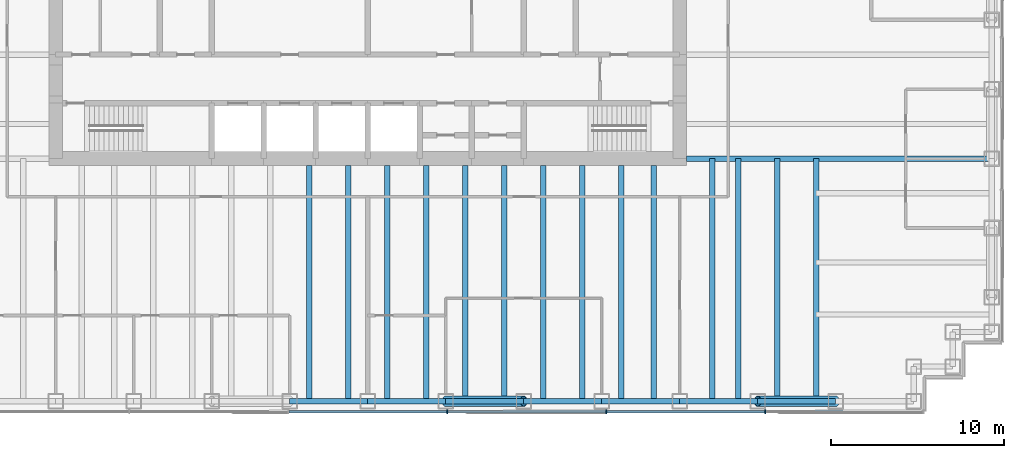
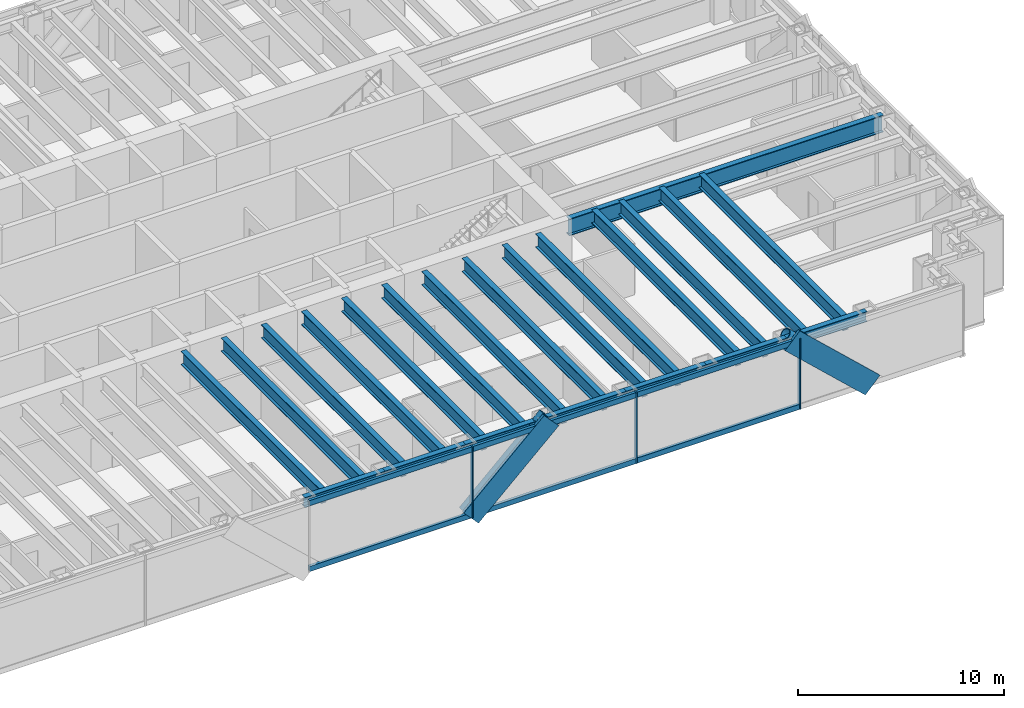
# One storey, part 4 of 15: 22 beams, 13 members, 1 element without a shape of its own.
"""IFC4 building model written with IfcOpenShell, lengths in metres."""

from ifc_helpers import new_model, si_unit, direction, frame, origin, origin_2d, place, context, subcontext, project, spatial, rectangle, hollow_circle, i_section, extrude, material, material_profile, profile_set, type_object, element, aggregate, save


model = new_model("IFC4")

# Units and contexts
model_context = context("Model", 3, precision=1e-05, world=origin(), true_north=direction((0.0, 1.0)))
body_context = subcontext(model_context, "Body", "Model", "MODEL_VIEW")
ifc_project = project(units=[si_unit("LENGTHUNIT", "METRE"), si_unit("AREAUNIT", "SQUARE_METRE"), si_unit("VOLUMEUNIT", "CUBIC_METRE"), si_unit("PLANEANGLEUNIT", "RADIAN"), si_unit("MASSUNIT", "GRAM", prefix="KILO")], contexts=[model_context])

# Site, building, storey
site_placement = place(None, origin())
site = spatial("IfcSite", under=ifc_project, at=site_placement, CompositionType="ELEMENT")
building_placement = place(site_placement, origin())
building = spatial("IfcBuilding", under=site, at=building_placement, Name="Rheinbord Bourse Tower", CompositionType="ELEMENT")
storey_placement = place(building_placement, frame((0.0, 0.0, 248.800048828125)))
storey = spatial("IfcBuildingStorey", under=building, at=storey_placement, Name="L56", CompositionType="ELEMENT", Elevation=248.800048828125)

# Curtain wall, members
ifc_material_1 = material(Name="Dark glass and black aluminium", Category="aluminium")
curtain_wall_type = type_object("IfcCurtainWallType", Name="CW2 DARK GLASS CURTAIN WALL", PredefinedType="USERDEFINED", material=ifc_material_1)
curtain_wall_placement = place(storey_placement, origin())
curtain_wall = element("IfcCurtainWall", 1, at=curtain_wall_placement, inside=storey, type_object=curtain_wall_type, Name="Curtain wall CW2 S L56", ObjectType="UNITISED CURTAIN WALL", PredefinedType="USERDEFINED")
ifc_material_2 = material(Name="Black anodised aluminium", Category="aluminium")
ifc_material_profile_1 = material_profile(ifc_material_2, rectangle(XDim=0.159912109375, YDim=1.2099609375, at=origin_2d()), Name="CW2 DIAGONAL MULLION 1210x160")
ifc_profile_set_1 = profile_set([ifc_material_profile_1], Name="Black anodised aluminium")
member_type_1 = type_object("IfcMemberType", Name="CW2 BLACK DIAGONAL MULLION", PredefinedType="USERDEFINED", material=ifc_profile_set_1)
member_1_placement = place(storey_placement, frame((63.0, 1.39990234375, 0.0), z_axis=(-0.73105922506, 0.0, 0.682314010889), x_axis=(0.0, -1.0, 0.0)))
member_1 = element("IfcMember", 2, at=member_1_placement, type_object=member_type_1, Name="CW2 diagonal mullion b", ObjectType="DIAGONAL MULLION", PredefinedType="USERDEFINED", context=body_context, shape_type="SweptSolid", body=[
    extrude(rectangle(XDim=0.159912109375, YDim=1.2099609375, at=origin_2d()), origin(), (0.0, 0.0, 1.0), 6.155517578125),
])
member_2_placement = place(storey_placement, frame((40.5, 1.39990234375, 0.0), z_axis=(0.73105922506, 0.0, 0.682314010889), x_axis=(0.0, 1.0, 0.0)))
member_2 = element("IfcMember", 3, at=member_2_placement, type_object=member_type_1, Name="CW2 diagonal mullion c", ObjectType="DIAGONAL MULLION", PredefinedType="USERDEFINED", context=body_context, shape_type="SweptSolid", body=[
    extrude(rectangle(XDim=0.159912109375, YDim=1.2099609375, at=origin_2d()), origin(), (0.0, 0.0, 1.0), 6.155517578125),
])
ifc_material_3 = material(Name="Black anodised aluminium", Category="aluminium")
ifc_material_profile_2 = material_profile(ifc_material_3, rectangle(XDim=0.219970703125, YDim=0.070068359375, at=origin_2d()), Name="CW2 MULLION 70x220")
ifc_profile_set_2 = profile_set([ifc_material_profile_2], Name="Black anodised aluminium")
member_type_2 = type_object("IfcMemberType", Name="CW2 BLACK MULLION", PredefinedType="MULLION", material=ifc_profile_set_2)
member_3_placement = place(storey_placement, frame((40.585693359375, 1.39990234375, 0.0), z_axis=(0.0, 0.0, 1.0), x_axis=(0.0, 1.0, 0.0)))
member_3 = element("IfcMember", 4, at=member_3_placement, type_object=member_type_2, Name="CW2 mullion 5", PredefinedType="MULLION", context=body_context, shape_type="SweptSolid", body=[
    extrude(rectangle(XDim=0.219970703125, YDim=0.070068359375, at=origin_2d()), origin(), (0.0, 0.0, 1.0), 4.199951171875),
])
member_4_placement = place(storey_placement, frame((49.757080078125, 1.39990234375, 0.0), z_axis=(0.0, 0.0, 1.0), x_axis=(0.0, 1.0, 0.0)))
member_4 = element("IfcMember", 5, at=member_4_placement, type_object=member_type_2, Name="CW2 mullion 6", PredefinedType="MULLION", context=body_context, shape_type="SweptSolid", body=[
    extrude(rectangle(XDim=0.219970703125, YDim=0.070068359375, at=origin_2d()), origin(), (0.0, 0.0, 1.0), 4.199951171875),
])
member_5_placement = place(storey_placement, frame((58.928466796875, 1.39990234375, 0.0), z_axis=(0.0, 0.0, 1.0), x_axis=(0.0, 1.0, 0.0)))
member_5 = element("IfcMember", 6, at=member_5_placement, type_object=member_type_2, Name="CW2 mullion 7", PredefinedType="MULLION", context=body_context, shape_type="SweptSolid", body=[
    extrude(rectangle(XDim=0.219970703125, YDim=0.070068359375, at=origin_2d()), origin(), (0.0, 0.0, 1.0), 4.199951171875),
])
ifc_material_4 = material(Name="Black anodised aluminium", Category="aluminium")
ifc_material_profile_3 = material_profile(ifc_material_4, rectangle(XDim=0.159912109375, YDim=0.300048828125, at=origin_2d()), Name="CW2 TRANSOM 300x160")
ifc_profile_set_3 = profile_set([ifc_material_profile_3], Name="Black anodised aluminium")
member_type_3 = type_object("IfcMemberType", Name="CW2 BLACK TRANSOM", PredefinedType="USERDEFINED", material=ifc_profile_set_3)
member_6_placement = place(storey_placement, frame((31.44921875, 1.39990234375, 0.14990234375), z_axis=(1.0, 0.0, 0.0), x_axis=(0.0, 1.0, 0.0)))
member_6 = element("IfcMember", 7, at=member_6_placement, type_object=member_type_3, Name="CW2 transom 4.1", ObjectType="TRANSOM", PredefinedType="USERDEFINED", context=body_context, shape_type="SweptSolid", body=[
    extrude(rectangle(XDim=0.159912109375, YDim=0.300048828125, at=origin_2d()), origin(), (0.0, 0.0, 1.0), 9.1015625),
])
member_7_placement = place(storey_placement, frame((31.44921875, 1.39990234375, 4.050048828125), z_axis=(1.0, 0.0, 0.0), x_axis=(0.0, 1.0, 0.0)))
member_7 = element("IfcMember", 8, at=member_7_placement, type_object=member_type_3, Name="CW2 transom 4.2", ObjectType="TRANSOM", PredefinedType="USERDEFINED", context=body_context, shape_type="SweptSolid", body=[
    extrude(rectangle(XDim=0.159912109375, YDim=0.300048828125, at=origin_2d()), origin(), (0.0, 0.0, 1.0), 9.1015625),
])
member_8_placement = place(storey_placement, frame((40.62060546875, 1.39990234375, 0.14990234375), z_axis=(1.0, 0.0, 0.0), x_axis=(0.0, 1.0, 0.0)))
member_8 = element("IfcMember", 9, at=member_8_placement, type_object=member_type_3, Name="CW2 transom 5.1", ObjectType="TRANSOM", PredefinedType="USERDEFINED", context=body_context, shape_type="SweptSolid", body=[
    extrude(rectangle(XDim=0.159912109375, YDim=0.300048828125, at=origin_2d()), origin(), (0.0, 0.0, 1.0), 9.1015625),
])
member_9_placement = place(storey_placement, frame((40.62060546875, 1.39990234375, 4.050048828125), z_axis=(1.0, 0.0, 0.0), x_axis=(0.0, 1.0, 0.0)))
member_9 = element("IfcMember", 10, at=member_9_placement, type_object=member_type_3, Name="CW2 transom 5.2", ObjectType="TRANSOM", PredefinedType="USERDEFINED", context=body_context, shape_type="SweptSolid", body=[
    extrude(rectangle(XDim=0.159912109375, YDim=0.300048828125, at=origin_2d()), origin(), (0.0, 0.0, 1.0), 9.1015625),
])
member_10_placement = place(storey_placement, frame((49.792236328125, 1.39990234375, 0.14990234375), z_axis=(1.0, 0.0, 0.0), x_axis=(0.0, 1.0, 0.0)))
member_10 = element("IfcMember", 11, at=member_10_placement, type_object=member_type_3, Name="CW2 transom 6.1", ObjectType="TRANSOM", PredefinedType="USERDEFINED", context=body_context, shape_type="SweptSolid", body=[
    extrude(rectangle(XDim=0.159912109375, YDim=0.300048828125, at=origin_2d()), origin(), (0.0, 0.0, 1.0), 9.101318359375),
])
member_11_placement = place(storey_placement, frame((49.792236328125, 1.39990234375, 4.050048828125), z_axis=(1.0, 0.0, 0.0), x_axis=(0.0, 1.0, 0.0)))
member_11 = element("IfcMember", 12, at=member_11_placement, type_object=member_type_3, Name="CW2 transom 6.2", ObjectType="TRANSOM", PredefinedType="USERDEFINED", context=body_context, shape_type="SweptSolid", body=[
    extrude(rectangle(XDim=0.159912109375, YDim=0.300048828125, at=origin_2d()), origin(), (0.0, 0.0, 1.0), 9.101318359375),
])
aggregate(curtain_wall, [member_3, member_4, member_5, member_6, member_7, member_8, member_9, member_10, member_11, member_1, member_2])

# Beams
ifc_material_5 = material(Name="Steel S460", Category="steel")
ifc_material_profile_4 = material_profile(ifc_material_5, i_section(OverallWidth=0.300048828125, OverallDepth=0.800048828125, WebThickness=0.017578125, FlangeThickness=0.032958984375, at=origin_2d()), Name="HEB 800")
ifc_profile_set_4 = profile_set([ifc_material_profile_4], Name="Steel S460")
beam_type_1 = type_object("IfcBeamType", Name="FLOOR BEAM HEB 800", PredefinedType="BEAM", material=ifc_profile_set_4)
for number, where, z_axis, x_axis, name in (
    (13, (32.625, 2.0, 3.639892578125), (0.0, 1.0, 0.0), (-1.0, 0.0, 0.0), "Floor beam S-31.5a L57"),
    (14, (34.875, 2.0, 3.639892578125), (0.0, 1.0, 0.0), (-1.0, 0.0, 0.0), "Floor beam S-31.5b L57"),
    (15, (37.125, 2.0, 3.639892578125), (0.0, 1.0, 0.0), (-1.0, 0.0, 0.0), "Floor beam S-36a L57"),
    (16, (39.375, 2.0, 3.639892578125), (0.0, 1.0, 0.0), (-1.0, 0.0, 0.0), "Floor beam S-36b L57"),
    (17, (41.625, 2.0, 3.639892578125), (0.0, 1.0, 0.0), (-1.0, 0.0, 0.0), "Floor beam S-40.5a L57"),
    (18, (43.875, 2.0, 3.639892578125), (0.0, 1.0, 0.0), (-1.0, 0.0, 0.0), "Floor beam S-40.5b L57"),
    (19, (46.125, 2.0, 3.639892578125), (0.0, 1.0, 0.0), (-1.0, 0.0, 0.0), "Floor beam S-45a L57"),
    (20, (48.375, 2.0, 3.639892578125), (0.0, 1.0, 0.0), (-1.0, 0.0, 0.0), "Floor beam S-45b L57"),
    (21, (50.625, 2.0, 3.639892578125), (0.0, 1.0, 0.0), (-1.0, 0.0, 0.0), "Floor beam S-49.5a L57"),
    (22, (52.5, 2.0, 3.639892578125), (0.0, 1.0, 0.0), (-1.0, 0.0, 0.0), "Floor beam S-49.5b L57"),
):
    element("IfcBeam", number, at=place(storey_placement, frame(where, z_axis=z_axis, x_axis=x_axis)), inside=storey, type_object=beam_type_1, Name=name, PredefinedType="BEAM", context=body_context, shape_type="SweptSolid", body=[
        extrude(i_section(OverallWidth=0.300048828125, OverallDepth=0.800048828125, WebThickness=0.017578125, FlangeThickness=0.032958984375, at=origin_2d()), origin(), (0.0, 0.0, 1.0), 13.60009765625),
    ])
for number, where, z_axis, x_axis, name in (
    (23, (55.875, 2.0, 3.639892578125), (0.0, 1.0, 0.0), (-1.0, 0.0, 0.0), "Floor beam S-54a L57"),
    (24, (57.375, 2.0, 3.639892578125), (0.0, 1.0, 0.0), (-1.0, 0.0, 0.0), "Floor beam S-54b L57"),
    (25, (59.625, 2.0, 3.639892578125), (0.0, 1.0, 0.0), (-1.0, 0.0, 0.0), "Floor beam S-58.5a L57"),
    (26, (61.875, 2.0, 3.639892578125), (0.0, 1.0, 0.0), (-1.0, 0.0, 0.0), "Floor beam S-58.5b L57"),
):
    element("IfcBeam", number, at=place(storey_placement, frame(where, z_axis=z_axis, x_axis=x_axis)), inside=storey, type_object=beam_type_1, Name=name, PredefinedType="BEAM", context=body_context, shape_type="SweptSolid", body=[
        extrude(i_section(OverallWidth=0.300048828125, OverallDepth=0.800048828125, WebThickness=0.017578125, FlangeThickness=0.032958984375, at=origin_2d()), origin(), (0.0, 0.0, 1.0), 14.0),
    ])
ifc_material_6 = material(Name="Steel S460", Category="steel")
ifc_material_profile_5 = material_profile(ifc_material_6, i_section(OverallWidth=0.302001953125, OverallDepth=1.008056640625, WebThickness=0.02099609375, FlangeThickness=0.0400390625, at=origin_2d()), Name="HEM 1000")
ifc_profile_set_5 = profile_set([ifc_material_profile_5], Name="Steel S460")
beam_type_2 = type_object("IfcBeamType", Name="GIRDER HEM 1000", PredefinedType="BEAM", material=ifc_profile_set_5)
beam_placement = place(storey_placement, frame((54.39990234375, 16.0, 3.535888671875), z_axis=(1.0, 0.0, 0.0), x_axis=(0.0, 1.0, 0.0)))
element("IfcBeam", 27, at=beam_placement, inside=storey, type_object=beam_type_2, Name="Girder east 16 L57", PredefinedType="BEAM", context=body_context, shape_type="SweptSolid", body=[
    extrude(i_section(OverallWidth=0.302001953125, OverallDepth=1.008056640625, WebThickness=0.02099609375, FlangeThickness=0.0400390625, at=origin_2d()), origin(), (0.0, 0.0, 1.0), 17.60009765625),
])

# Members
ifc_material_7 = material(Name="Steel S460", Category="steel")
ifc_material_profile_6 = material_profile(ifc_material_7, hollow_circle(Radius=0.304931640625, WallThickness=0.0400390625, at=origin_2d()), Name="CHS 610x40")
ifc_profile_set_6 = profile_set([ifc_material_profile_6], Name="Steel S460")
member_type_4 = type_object("IfcMemberType", Name="MEGABRACE CHS 610x40", PredefinedType="BRACE", material=ifc_profile_set_6)
for number, where, z_axis, x_axis, name in (
    (28, (63.0, 2.0, 0.0), (-0.73105922506, 0.0, 0.682314010889), (0.0, -1.0, 0.0), "Megabrace S face line b L56"),
    (29, (40.5, 2.0, 0.0), (0.73105922506, 0.0, 0.682314010889), (0.0, 1.0, 0.0), "Megabrace S face line c L56"),
):
    element("IfcMember", number, at=place(storey_placement, frame(where, z_axis=z_axis, x_axis=x_axis)), inside=storey, type_object=member_type_4, Name=name, PredefinedType="BRACE", context=body_context, shape_type="SweptSolid", body=[
        extrude(hollow_circle(Radius=0.304931640625, WallThickness=0.0400390625, at=origin_2d()), origin(), (0.0, 0.0, 1.0), 6.155517578125),
    ])

# Beams
ifc_material_8 = material(Name="Steel S460", Category="steel")
ifc_material_profile_7 = material_profile(ifc_material_8, i_section(OverallWidth=0.300048828125, OverallDepth=0.60009765625, WebThickness=0.015380859375, FlangeThickness=0.030029296875, at=origin_2d()), Name="HEB 600")
ifc_profile_set_7 = profile_set([ifc_material_profile_7], Name="Steel S460")
beam_type_3 = type_object("IfcBeamType", Name="SPANDREL HEB 600", PredefinedType="SPANDREL", material=ifc_profile_set_7)
for number, where, z_axis, x_axis, name in (
    (30, (31.5, 2.0, 3.739990234375), (1.0, 0.0, 0.0), (0.0, 1.0, 0.0), "Spandrel S-31.5-S-36 under L57"),
    (31, (36.0, 2.0, 3.739990234375), (1.0, 0.0, 0.0), (0.0, 1.0, 0.0), "Spandrel S-36-S-40.5 under L57"),
    (32, (40.5, 2.0, 3.739990234375), (1.0, 0.0, 0.0), (0.0, 1.0, 0.0), "Spandrel S-40.5-S-45 under L57"),
    (33, (45.0, 2.0, 3.739990234375), (1.0, 0.0, 0.0), (0.0, 1.0, 0.0), "Spandrel S-45-S-49.5 under L57"),
    (34, (49.5, 2.0, 3.739990234375), (1.0, 0.0, 0.0), (0.0, 1.0, 0.0), "Spandrel S-49.5-S-54 under L57"),
    (35, (54.0, 2.0, 3.739990234375), (1.0, 0.0, 0.0), (0.0, 1.0, 0.0), "Spandrel S-54-S-58.5 under L57"),
    (36, (58.5, 2.0, 3.739990234375), (1.0, 0.0, 0.0), (0.0, 1.0, 0.0), "Spandrel S-58.5-S-63 under L57"),
):
    element("IfcBeam", number, at=place(storey_placement, frame(where, z_axis=z_axis, x_axis=x_axis)), inside=storey, type_object=beam_type_3, Name=name, PredefinedType="SPANDREL", context=body_context, shape_type="SweptSolid", body=[
        extrude(i_section(OverallWidth=0.300048828125, OverallDepth=0.60009765625, WebThickness=0.015380859375, FlangeThickness=0.030029296875, at=origin_2d()), origin(), (0.0, 0.0, 1.0), 4.5),
    ])

save(model, "model.ifc")
